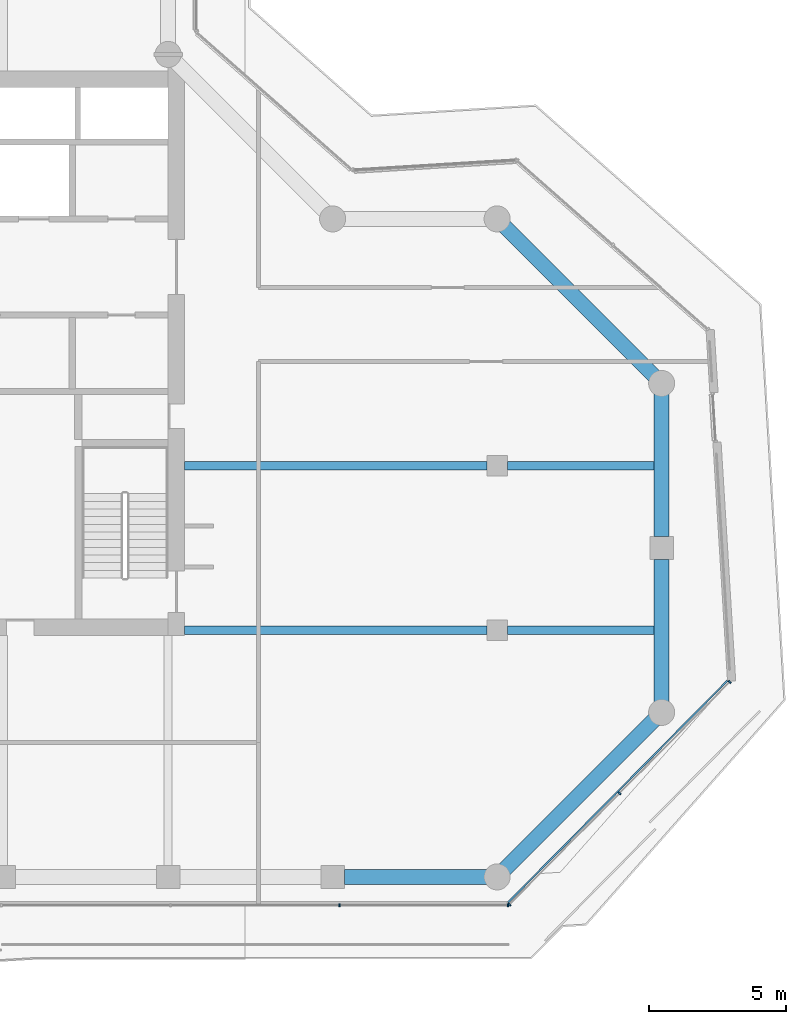
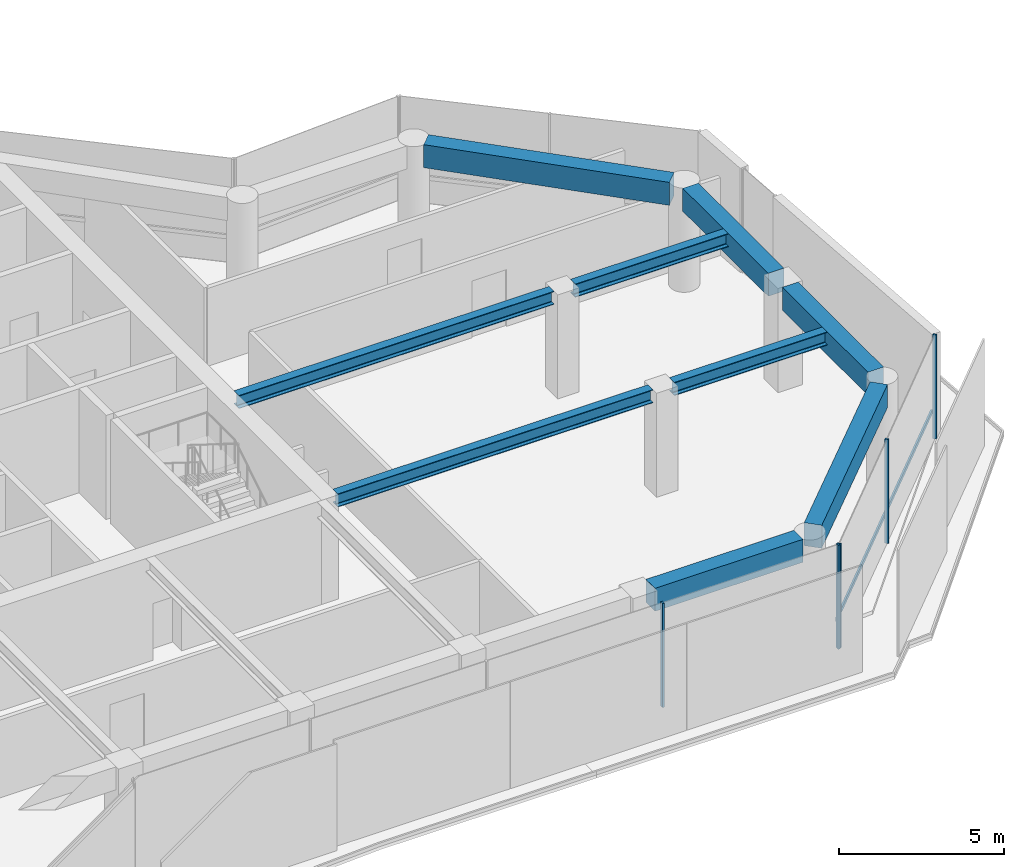
# One storey, part 7 of 21: 9 beams, 6 members, 2 elements without a shape of their own.
"""IFC4 building model written with IfcOpenShell, lengths in metres."""

from ifc_helpers import new_model, si_unit, direction, frame, origin, origin_2d, place, context, subcontext, project, spatial, rectangle, i_section, extrude, material, layer, layer_set, material_profile, profile_set, type_object, element, aggregate, save


model = new_model("IFC4")

# Units and contexts
model_context = context("Model", 3, precision=1e-05, world=origin(), true_north=direction((0.0, 1.0)))
body_context = subcontext(model_context, "Body", "Model", "MODEL_VIEW")
ifc_project = project(units=[si_unit("LENGTHUNIT", "METRE"), si_unit("AREAUNIT", "SQUARE_METRE"), si_unit("VOLUMEUNIT", "CUBIC_METRE"), si_unit("PLANEANGLEUNIT", "RADIAN"), si_unit("MASSUNIT", "GRAM", prefix="KILO")], contexts=[model_context])

# Site, building, storey
site_placement = place(None, origin())
site = spatial("IfcSite", under=ifc_project, at=site_placement, CompositionType="ELEMENT")
building_placement = place(site_placement, origin())
building = spatial("IfcBuilding", under=site, at=building_placement, Name="Welwitschia Terrace Campus", CompositionType="ELEMENT")
storey_placement = place(building_placement, frame((0.0, 0.0, 184.39990234375)))
storey = spatial("IfcBuildingStorey", under=building, at=storey_placement, Name="L41", CompositionType="ELEMENT", Elevation=184.39990234375)

# Beams
ifc_material_1 = material(Name="Steel S355", Category="steel")
ifc_material_profile_1 = material_profile(ifc_material_1, i_section(OverallWidth=0.300048828125, OverallDepth=0.489990234375, WebThickness=0.011962890625, FlangeThickness=0.02294921875, FilletRadius=0.027099609375, at=origin_2d()))
ifc_profile_set_1 = profile_set([ifc_material_profile_1], Name="Steel S355")
beam_type_1 = type_object("IfcBeamType", Name="Interior girder HE 500 A", PredefinedType="BEAM", material=ifc_profile_set_1)
beam_1_placement = place(storey_placement, frame((24.60107421875, 5.0, 3.60498046875), z_axis=(1.0, 0.0, 0.0), x_axis=(0.0, 1.0, 0.0)))
element("IfcBeam", 1, at=beam_1_placement, inside=storey, type_object=beam_type_1, Name="Girder GB4", PredefinedType="BEAM", context=body_context, shape_type="SweptSolid", body=[
    extrude(i_section(OverallWidth=0.300048828125, OverallDepth=0.489990234375, WebThickness=0.011962890625, FlangeThickness=0.02294921875, FilletRadius=0.027099609375, at=origin_2d()), origin(), (0.0, 0.0, 1.0), 11.0234375),
])
beam_2_placement = place(storey_placement, frame((36.37548828125, 5.0, 3.60498046875), z_axis=(1.0, 0.0, 0.0), x_axis=(0.0, 1.0, 0.0)))
element("IfcBeam", 2, at=beam_2_placement, inside=storey, type_object=beam_type_1, Name="Girder GB4", PredefinedType="BEAM", context=body_context, shape_type="SweptSolid", body=[
    extrude(i_section(OverallWidth=0.300048828125, OverallDepth=0.489990234375, WebThickness=0.011962890625, FlangeThickness=0.02294921875, FilletRadius=0.027099609375, at=origin_2d()), origin(), (0.0, 0.0, 1.0), 5.634521484375),
])
beam_3_placement = place(storey_placement, frame((24.60107421875, 11.0, 3.60498046875), z_axis=(1.0, 0.0, 0.0), x_axis=(0.0, 1.0, 0.0)))
element("IfcBeam", 3, at=beam_3_placement, inside=storey, type_object=beam_type_1, Name="Girder GB4", PredefinedType="BEAM", context=body_context, shape_type="SweptSolid", body=[
    extrude(i_section(OverallWidth=0.300048828125, OverallDepth=0.489990234375, WebThickness=0.011962890625, FlangeThickness=0.02294921875, FilletRadius=0.027099609375, at=origin_2d()), origin(), (0.0, 0.0, 1.0), 11.0234375),
])
beam_4_placement = place(storey_placement, frame((36.37548828125, 11.0, 3.60498046875), z_axis=(1.0, 0.0, 0.0), x_axis=(0.0, 1.0, 0.0)))
element("IfcBeam", 4, at=beam_4_placement, inside=storey, type_object=beam_type_1, Name="Girder GB4", PredefinedType="BEAM", context=body_context, shape_type="SweptSolid", body=[
    extrude(i_section(OverallWidth=0.300048828125, OverallDepth=0.489990234375, WebThickness=0.011962890625, FlangeThickness=0.02294921875, FilletRadius=0.027099609375, at=origin_2d()), origin(), (0.0, 0.0, 1.0), 5.634521484375),
])

# Curtain wall, members
ifc_material_2 = material(Name="Bronze anodised aluminium", Category="aluminium")
ifc_layer = layer(ifc_material_2, 0.1201171875)
ifc_layer_set = layer_set([ifc_layer], Name="Bronze anodised aluminium")
curtain_wall_type = type_object("IfcCurtainWallType", Name="Curtain wall CW2 tower 6000", PredefinedType="NOTDEFINED", material=ifc_layer_set)
curtain_wall_1_placement = place(storey_placement, origin())
curtain_wall_1 = element("IfcCurtainWall", 5, at=curtain_wall_1_placement, inside=storey, type_object=curtain_wall_type, Name="CW L41.1.0", PredefinedType="NOTDEFINED")
ifc_material_3 = material(Name="Bronze anodised aluminium", Category="aluminium")
ifc_material_profile_2 = material_profile(ifc_material_3, rectangle(XDim=0.1201171875, YDim=0.06005859375, at=origin_2d()))
ifc_profile_set_2 = profile_set([ifc_material_profile_2], Name="Bronze anodised aluminium")
member_type_1 = type_object("IfcMemberType", Name="Mullion 60x120", PredefinedType="MULLION", material=ifc_profile_set_2)
member_1_placement = place(storey_placement, frame((30.256103515625, -5.030029296875, 0.0), z_axis=(0.0, 0.0, 1.0), x_axis=(0.0, 1.0, 0.0)))
member_1 = element("IfcMember", 6, at=member_1_placement, type_object=member_type_1, Name="Mullion L41.1.0.4", PredefinedType="MULLION", context=body_context, shape_type="SweptSolid", body=[
    extrude(rectangle(XDim=0.1201171875, YDim=0.06005859375, at=origin_2d()), origin(), (0.0, 0.0, 1.0), 3.85009765625),
])
member_2_placement = place(storey_placement, frame((36.396728515625, -5.030029296875, 0.0), z_axis=(0.0, 0.0, 1.0), x_axis=(0.0, 1.0, 0.0)))
member_2 = element("IfcMember", 7, at=member_2_placement, type_object=member_type_1, Name="Mullion L41.1.0.5", PredefinedType="MULLION", context=body_context, shape_type="SweptSolid", body=[
    extrude(rectangle(XDim=0.1201171875, YDim=0.06005859375, at=origin_2d()), origin(), (0.0, 0.0, 1.0), 3.85009765625),
])
aggregate(curtain_wall_1, [member_1, member_2])

curtain_wall_2_placement = place(storey_placement, origin())
curtain_wall_2 = element("IfcCurtainWall", 8, at=curtain_wall_2_placement, inside=storey, type_object=curtain_wall_type, Name="CW L41.2.0", PredefinedType="NOTDEFINED")
member_3_placement = place(storey_placement, frame((36.44775390625, -5.0087890625, 0.0), z_axis=(0.0, 0.0, 1.0), x_axis=(-0.710972274383, 0.703220040285, 0.0)))
member_3 = element("IfcMember", 9, at=member_3_placement, type_object=member_type_1, Name="Mullion L41.2.0.0", PredefinedType="MULLION", context=body_context, shape_type="SweptSolid", body=[
    extrude(rectangle(XDim=0.1201171875, YDim=0.06005859375, at=origin_2d()), origin(), (0.0, 0.0, 1.0), 3.85009765625),
])
member_4_placement = place(storey_placement, frame((40.464599609375, -0.94775390625, 0.0), z_axis=(0.0, 0.0, 1.0), x_axis=(-0.710972274383, 0.703220040285, 0.0)))
member_4 = element("IfcMember", 10, at=member_4_placement, type_object=member_type_1, Name="Mullion L41.2.0.1", PredefinedType="MULLION", context=body_context, shape_type="SweptSolid", body=[
    extrude(rectangle(XDim=0.1201171875, YDim=0.06005859375, at=origin_2d()), origin(), (0.0, 0.0, 1.0), 3.85009765625),
])
member_5_placement = place(storey_placement, frame((44.481201171875, 3.113525390625, 0.0), z_axis=(0.0, 0.0, 1.0), x_axis=(-0.710972274383, 0.703220040285, 0.0)))
member_5 = element("IfcMember", 11, at=member_5_placement, type_object=member_type_1, Name="Mullion L41.2.0.2", PredefinedType="MULLION", context=body_context, shape_type="SweptSolid", body=[
    extrude(rectangle(XDim=0.1201171875, YDim=0.06005859375, at=origin_2d()), origin(), (0.0, 0.0, 1.0), 3.85009765625),
])

# Beams
ifc_material_4 = material(Name="Concrete C50/60", Category="concrete")
ifc_material_profile_3 = material_profile(ifc_material_4, rectangle(XDim=0.550048828125, YDim=0.85009765625, at=origin_2d()))
ifc_profile_set_3 = profile_set([ifc_material_profile_3], Name="Concrete C50/60")
beam_type_2 = type_object("IfcBeamType", Name="Ring spandrel 550x850", PredefinedType="SPANDREL", material=ifc_profile_set_3)
beam_5_placement = place(storey_placement, frame((30.425537109375, -4.0, 3.425048828125), z_axis=(1.0, 0.0, 0.0), x_axis=(0.0, 1.0, 0.0)))
element("IfcBeam", 12, at=beam_5_placement, inside=storey, type_object=beam_type_2, Name="Spandrel SP3", PredefinedType="SPANDREL", context=body_context, shape_type="SweptSolid", body=[
    extrude(rectangle(XDim=0.550048828125, YDim=0.85009765625, at=origin_2d()), origin(), (0.0, 0.0, 1.0), 5.1865234375),
])
beam_6_placement = place(storey_placement, frame((36.2744140625, -3.7255859375, 3.425048828125), z_axis=(0.707106781187, 0.707106781187, 0.0), x_axis=(-0.707106781187, 0.707106781187, 0.0)))
element("IfcBeam", 13, at=beam_6_placement, inside=storey, type_object=beam_type_2, Name="Spandrel SP3", PredefinedType="SPANDREL", context=body_context, shape_type="SweptSolid", body=[
    extrude(rectangle(XDim=0.550048828125, YDim=0.85009765625, at=origin_2d()), origin(), (0.0, 0.0, 1.0), 7.709228515625),
])
for number, where, z_axis, x_axis, name in (
    (14, (42.0, 2.387939453125, 3.425048828125), (0.0, 1.0, 0.0), (-1.0, 0.0, 0.0), "Spandrel SP3"),
    (15, (42.0, 8.425537109375, 3.425048828125), (0.0, 1.0, 0.0), (-1.0, 0.0, 0.0), "Spandrel SP3"),
):
    element("IfcBeam", number, at=place(storey_placement, frame(where, z_axis=z_axis, x_axis=x_axis)), inside=storey, type_object=beam_type_2, Name=name, PredefinedType="SPANDREL", context=body_context, shape_type="SweptSolid", body=[
        extrude(rectangle(XDim=0.550048828125, YDim=0.85009765625, at=origin_2d()), origin(), (0.0, 0.0, 1.0), 5.1865234375),
    ])
beam_7_placement = place(storey_placement, frame((41.7255859375, 14.2744140625, 3.425048828125), z_axis=(-0.707106781187, 0.707106781187, 0.0), x_axis=(-0.707106781187, -0.707106781187, 0.0)))
element("IfcBeam", 16, at=beam_7_placement, inside=storey, type_object=beam_type_2, Name="Spandrel SP3", PredefinedType="SPANDREL", context=body_context, shape_type="SweptSolid", body=[
    extrude(rectangle(XDim=0.550048828125, YDim=0.85009765625, at=origin_2d()), origin(), (0.0, 0.0, 1.0), 7.709228515625),
])

# Member
ifc_material_5 = material(Name="Bronze anodised aluminium", Category="aluminium")
ifc_material_profile_4 = material_profile(ifc_material_5, rectangle(XDim=0.06005859375, YDim=0.14990234375, at=origin_2d()))
ifc_profile_set_4 = profile_set([ifc_material_profile_4], Name="Bronze anodised aluminium")
member_type_2 = type_object("IfcMemberType", Name="Transom 60x150", PredefinedType="USERDEFINED", material=ifc_profile_set_4)
member_6_placement = place(storey_placement, frame((36.40478515625, -4.924072265625, 1.0), z_axis=(0.703229123357, 0.710963290235, 0.0), x_axis=(-0.710963290235, 0.703229123357, 0.0)))
member_6 = element("IfcMember", 17, at=member_6_placement, type_object=member_type_2, Name="Transom L41.2.0", ObjectType="TRANSOM", PredefinedType="USERDEFINED", context=body_context, shape_type="SweptSolid", body=[
    extrude(rectangle(XDim=0.06005859375, YDim=0.14990234375, at=origin_2d()), origin(), (0.0, 0.0, 1.0), 11.364013671875),
])

aggregate(curtain_wall_2, [member_3, member_4, member_5, member_6])

save(model, "model.ifc")
